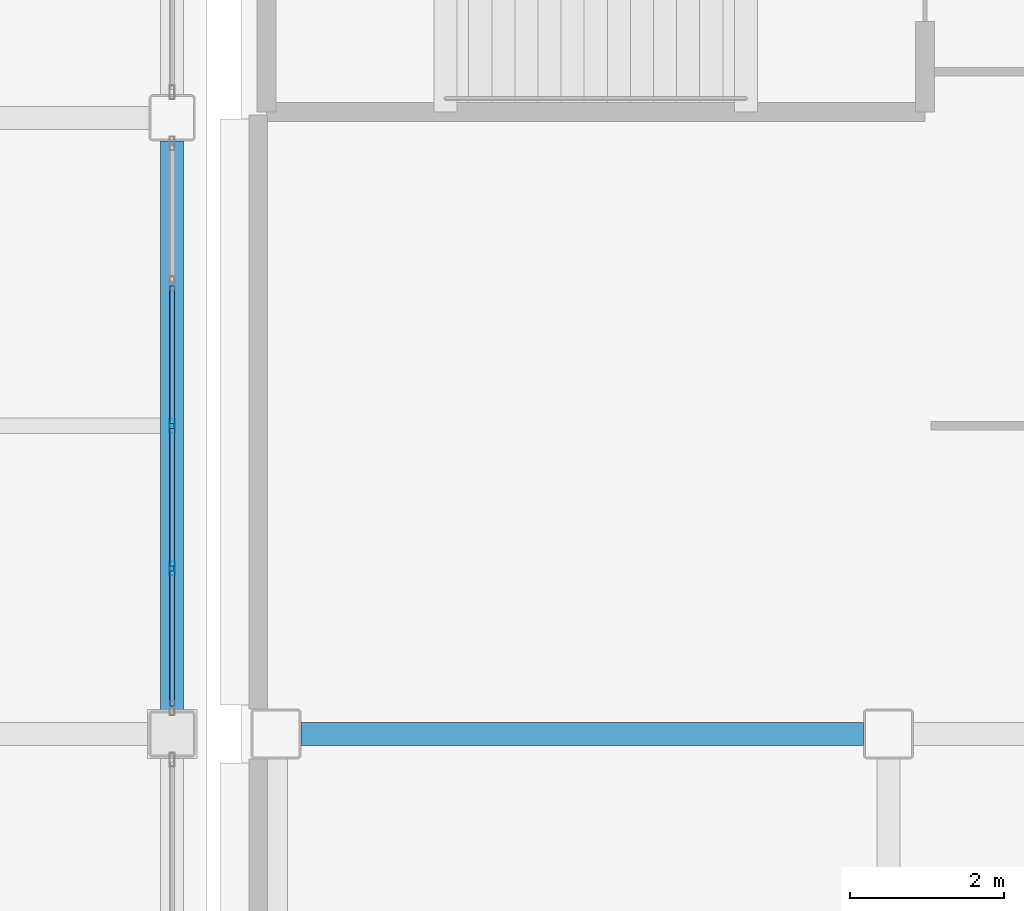
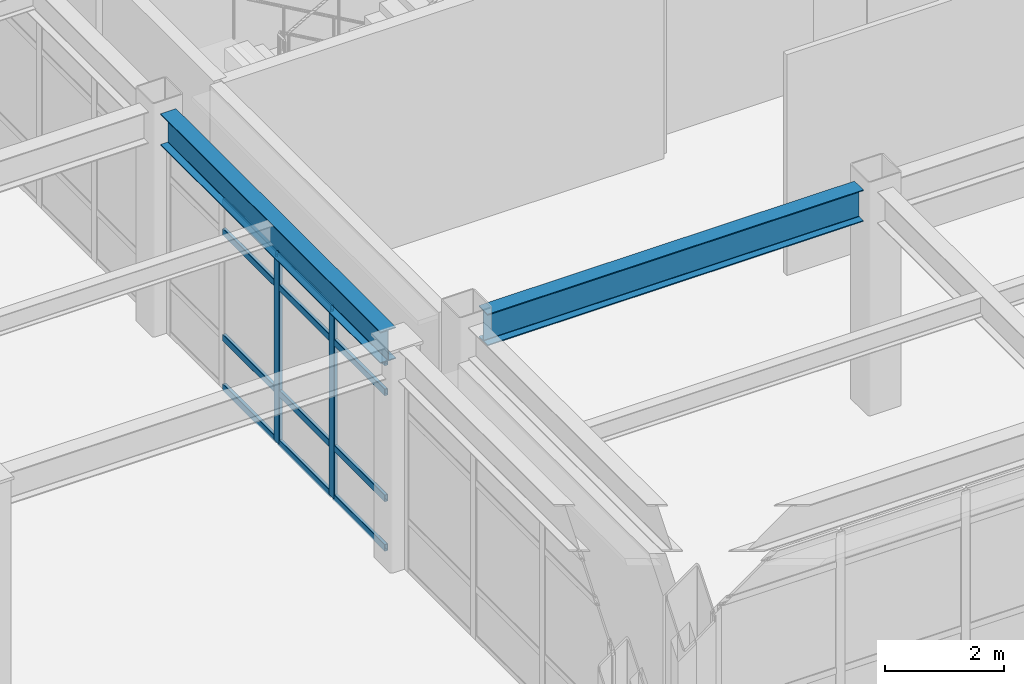
# One storey, part 18 of 172: 14 members, 2 beams, 1 element without a shape of its own.
"""IFC4 building model written with IfcOpenShell, lengths in metres."""

from ifc_helpers import new_model, si_unit, direction, frame, origin, origin_2d, place, context, subcontext, project, spatial, hollow_rectangle, i_section, extrude, material, layer, layer_set, material_profile, profile_set, type_object, element, aggregate, save


model = new_model("IFC4")

# Units and contexts
model_context = context("Model", 3, precision=1e-05, world=origin(), true_north=direction((0.0, 1.0)))
body_context = subcontext(model_context, "Body", "Model", "MODEL_VIEW")
ifc_project = project(units=[si_unit("LENGTHUNIT", "METRE"), si_unit("AREAUNIT", "SQUARE_METRE"), si_unit("VOLUMEUNIT", "CUBIC_METRE"), si_unit("PLANEANGLEUNIT", "RADIAN"), si_unit("MASSUNIT", "GRAM", prefix="KILO")], contexts=[model_context])

# Site, building, storey
site_placement = place(None, origin())
site = spatial("IfcSite", under=ifc_project, at=site_placement, CompositionType="ELEMENT")
building_placement = place(site_placement, origin())
building = spatial("IfcBuilding", under=site, at=building_placement, Name="Kazehara Bluff Congress Hotel", CompositionType="ELEMENT")
storey_placement = place(building_placement, frame((0.0, 0.0, 5.39990234375)))
storey = spatial("IfcBuildingStorey", under=building, at=storey_placement, Name="L01", CompositionType="ELEMENT", Elevation=5.39990234375)

# Curtain wall, members
ifc_material_1 = material(Name="Anodised aluminium", Category="aluminium")
ifc_layer = layer(ifc_material_1, 0.159912109375)
ifc_layer_set = layer_set([ifc_layer], Name="Anodised aluminium")
curtain_wall_type = type_object("IfcCurtainWallType", Name="TP-CW-34", PredefinedType="NOTDEFINED", material=ifc_layer_set)
curtain_wall_placement = place(storey_placement, origin())
curtain_wall = element("IfcCurtainWall", 1, at=curtain_wall_placement, inside=storey, type_object=curtain_wall_type, Name="L01 curtain wall CW-34 CW-V2-L01-X5835-830", PredefinedType="NOTDEFINED")
ifc_material_2 = material(Name="Anodised aluminium", Category="aluminium")
ifc_material_profile_1 = material_profile(ifc_material_2, hollow_rectangle(XDim=0.06494140625, YDim=0.179931640625, WallThickness=0.00390625, InnerFilletRadius=0.00390625, OuterFilletRadius=0.008056640625, at=origin_2d()))
ifc_profile_set_1 = profile_set([ifc_material_profile_1], Name="Anodised aluminium")
member_type_1 = type_object("IfcMemberType", Name="TP-CWM-02", PredefinedType="MULLION", material=ifc_profile_set_1)
member_1_placement = place(storey_placement, frame((58.35009765625, 10.14990234375, 0.0), z_axis=(0.0, 0.0, 1.0), x_axis=(-1.0, 0.0, 0.0)))
member_1 = element("IfcMember", 2, at=member_1_placement, type_object=member_type_1, Name="CW-34 mullion 2", PredefinedType="MULLION", context=body_context, shape_type="SweptSolid", body=[
    extrude(hollow_rectangle(XDim=0.06494140625, YDim=0.179931640625, WallThickness=0.00390625, InnerFilletRadius=0.00390625, OuterFilletRadius=0.008056640625, at=origin_2d()), origin(), (0.0, 0.0, 1.0), 3.875),
])
member_2_placement = place(storey_placement, frame((58.35009765625, 12.0, 0.0), z_axis=(0.0, 0.0, 1.0), x_axis=(-1.0, 0.0, 0.0)))
member_2 = element("IfcMember", 3, at=member_2_placement, type_object=member_type_1, Name="CW-34 mullion 3", PredefinedType="MULLION", context=body_context, shape_type="SweptSolid", body=[
    extrude(hollow_rectangle(XDim=0.06494140625, YDim=0.179931640625, WallThickness=0.00390625, InnerFilletRadius=0.00390625, OuterFilletRadius=0.008056640625, at=origin_2d()), origin(), (0.0, 0.0, 1.0), 3.875),
])
ifc_material_3 = material(Name="Anodised aluminium", Category="aluminium")
ifc_material_profile_2 = material_profile(ifc_material_3, hollow_rectangle(XDim=0.06494140625, YDim=0.139892578125, WallThickness=0.00390625, InnerFilletRadius=0.00390625, OuterFilletRadius=0.008056640625, at=origin_2d()))
ifc_profile_set_2 = profile_set([ifc_material_profile_2], Name="Anodised aluminium")
member_type_2 = type_object("IfcMemberType", Name="TP-CWT-02", PredefinedType="USERDEFINED", material=ifc_profile_set_2)
member_3_placement = place(storey_placement, frame((58.35009765625, 8.364990234375, 0.03271484375), z_axis=(0.0, 1.0, 0.0), x_axis=(-1.0, 0.0, 0.0)))
member_3 = element("IfcMember", 4, at=member_3_placement, type_object=member_type_2, Name="CW-34 transom 1.1", ObjectType="TRANSOM", PredefinedType="USERDEFINED", context=body_context, shape_type="SweptSolid", body=[
    extrude(hollow_rectangle(XDim=0.06494140625, YDim=0.139892578125, WallThickness=0.00390625, InnerFilletRadius=0.00390625, OuterFilletRadius=0.008056640625, at=origin_2d()), origin(), (0.0, 0.0, 1.0), 1.75244140625),
])
member_4_placement = place(storey_placement, frame((58.35009765625, 8.364990234375, 1.050048828125), z_axis=(0.0, 1.0, 0.0), x_axis=(-1.0, 0.0, 0.0)))
member_4 = element("IfcMember", 5, at=member_4_placement, type_object=member_type_2, Name="CW-34 transom 1.2", ObjectType="TRANSOM", PredefinedType="USERDEFINED", context=body_context, shape_type="SweptSolid", body=[
    extrude(hollow_rectangle(XDim=0.06494140625, YDim=0.139892578125, WallThickness=0.00390625, InnerFilletRadius=0.00390625, OuterFilletRadius=0.008056640625, at=origin_2d()), origin(), (0.0, 0.0, 1.0), 1.75244140625),
])
member_5_placement = place(storey_placement, frame((58.35009765625, 8.364990234375, 3.22509765625), z_axis=(0.0, 1.0, 0.0), x_axis=(-1.0, 0.0, 0.0)))
member_5 = element("IfcMember", 6, at=member_5_placement, type_object=member_type_2, Name="CW-34 transom 1.3", ObjectType="TRANSOM", PredefinedType="USERDEFINED", context=body_context, shape_type="SweptSolid", body=[
    extrude(hollow_rectangle(XDim=0.06494140625, YDim=0.139892578125, WallThickness=0.00390625, InnerFilletRadius=0.00390625, OuterFilletRadius=0.008056640625, at=origin_2d()), origin(), (0.0, 0.0, 1.0), 1.75244140625),
])
member_6_placement = place(storey_placement, frame((58.35009765625, 8.364990234375, 3.842529296875), z_axis=(0.0, 1.0, 0.0), x_axis=(-1.0, 0.0, 0.0)))
member_6 = element("IfcMember", 7, at=member_6_placement, type_object=member_type_2, Name="CW-34 transom 1.4", ObjectType="TRANSOM", PredefinedType="USERDEFINED", context=body_context, shape_type="SweptSolid", body=[
    extrude(hollow_rectangle(XDim=0.06494140625, YDim=0.139892578125, WallThickness=0.00390625, InnerFilletRadius=0.00390625, OuterFilletRadius=0.008056640625, at=origin_2d()), origin(), (0.0, 0.0, 1.0), 1.75244140625),
])
member_7_placement = place(storey_placement, frame((58.35009765625, 10.1826171875, 0.03271484375), z_axis=(0.0, 1.0, 0.0), x_axis=(-1.0, 0.0, 0.0)))
member_7 = element("IfcMember", 8, at=member_7_placement, type_object=member_type_2, Name="CW-34 transom 2.1", ObjectType="TRANSOM", PredefinedType="USERDEFINED", context=body_context, shape_type="SweptSolid", body=[
    extrude(hollow_rectangle(XDim=0.06494140625, YDim=0.139892578125, WallThickness=0.00390625, InnerFilletRadius=0.00390625, OuterFilletRadius=0.008056640625, at=origin_2d()), origin(), (0.0, 0.0, 1.0), 1.784912109375),
])
member_8_placement = place(storey_placement, frame((58.35009765625, 10.1826171875, 1.050048828125), z_axis=(0.0, 1.0, 0.0), x_axis=(-1.0, 0.0, 0.0)))
member_8 = element("IfcMember", 9, at=member_8_placement, type_object=member_type_2, Name="CW-34 transom 2.2", ObjectType="TRANSOM", PredefinedType="USERDEFINED", context=body_context, shape_type="SweptSolid", body=[
    extrude(hollow_rectangle(XDim=0.06494140625, YDim=0.139892578125, WallThickness=0.00390625, InnerFilletRadius=0.00390625, OuterFilletRadius=0.008056640625, at=origin_2d()), origin(), (0.0, 0.0, 1.0), 1.784912109375),
])
member_9_placement = place(storey_placement, frame((58.35009765625, 10.1826171875, 3.22509765625), z_axis=(0.0, 1.0, 0.0), x_axis=(-1.0, 0.0, 0.0)))
member_9 = element("IfcMember", 10, at=member_9_placement, type_object=member_type_2, Name="CW-34 transom 2.3", ObjectType="TRANSOM", PredefinedType="USERDEFINED", context=body_context, shape_type="SweptSolid", body=[
    extrude(hollow_rectangle(XDim=0.06494140625, YDim=0.139892578125, WallThickness=0.00390625, InnerFilletRadius=0.00390625, OuterFilletRadius=0.008056640625, at=origin_2d()), origin(), (0.0, 0.0, 1.0), 1.784912109375),
])
member_10_placement = place(storey_placement, frame((58.35009765625, 10.1826171875, 3.842529296875), z_axis=(0.0, 1.0, 0.0), x_axis=(-1.0, 0.0, 0.0)))
member_10 = element("IfcMember", 11, at=member_10_placement, type_object=member_type_2, Name="CW-34 transom 2.4", ObjectType="TRANSOM", PredefinedType="USERDEFINED", context=body_context, shape_type="SweptSolid", body=[
    extrude(hollow_rectangle(XDim=0.06494140625, YDim=0.139892578125, WallThickness=0.00390625, InnerFilletRadius=0.00390625, OuterFilletRadius=0.008056640625, at=origin_2d()), origin(), (0.0, 0.0, 1.0), 1.784912109375),
])
member_11_placement = place(storey_placement, frame((58.35009765625, 12.032470703125, 0.03271484375), z_axis=(0.0, 1.0, 0.0), x_axis=(-1.0, 0.0, 0.0)))
member_11 = element("IfcMember", 12, at=member_11_placement, type_object=member_type_2, Name="CW-34 transom 3.1", ObjectType="TRANSOM", PredefinedType="USERDEFINED", context=body_context, shape_type="SweptSolid", body=[
    extrude(hollow_rectangle(XDim=0.06494140625, YDim=0.139892578125, WallThickness=0.00390625, InnerFilletRadius=0.00390625, OuterFilletRadius=0.008056640625, at=origin_2d()), origin(), (0.0, 0.0, 1.0), 1.784912109375),
])
member_12_placement = place(storey_placement, frame((58.35009765625, 12.032470703125, 1.050048828125), z_axis=(0.0, 1.0, 0.0), x_axis=(-1.0, 0.0, 0.0)))
member_12 = element("IfcMember", 13, at=member_12_placement, type_object=member_type_2, Name="CW-34 transom 3.2", ObjectType="TRANSOM", PredefinedType="USERDEFINED", context=body_context, shape_type="SweptSolid", body=[
    extrude(hollow_rectangle(XDim=0.06494140625, YDim=0.139892578125, WallThickness=0.00390625, InnerFilletRadius=0.00390625, OuterFilletRadius=0.008056640625, at=origin_2d()), origin(), (0.0, 0.0, 1.0), 1.784912109375),
])
member_13_placement = place(storey_placement, frame((58.35009765625, 12.032470703125, 3.22509765625), z_axis=(0.0, 1.0, 0.0), x_axis=(-1.0, 0.0, 0.0)))
member_13 = element("IfcMember", 14, at=member_13_placement, type_object=member_type_2, Name="CW-34 transom 3.3", ObjectType="TRANSOM", PredefinedType="USERDEFINED", context=body_context, shape_type="SweptSolid", body=[
    extrude(hollow_rectangle(XDim=0.06494140625, YDim=0.139892578125, WallThickness=0.00390625, InnerFilletRadius=0.00390625, OuterFilletRadius=0.008056640625, at=origin_2d()), origin(), (0.0, 0.0, 1.0), 1.784912109375),
])
member_14_placement = place(storey_placement, frame((58.35009765625, 12.032470703125, 3.842529296875), z_axis=(0.0, 1.0, 0.0), x_axis=(-1.0, 0.0, 0.0)))
member_14 = element("IfcMember", 15, at=member_14_placement, type_object=member_type_2, Name="CW-34 transom 3.4", ObjectType="TRANSOM", PredefinedType="USERDEFINED", context=body_context, shape_type="SweptSolid", body=[
    extrude(hollow_rectangle(XDim=0.06494140625, YDim=0.139892578125, WallThickness=0.00390625, InnerFilletRadius=0.00390625, OuterFilletRadius=0.008056640625, at=origin_2d()), origin(), (0.0, 0.0, 1.0), 1.784912109375),
])
aggregate(curtain_wall, [member_1, member_2, member_3, member_4, member_5, member_6, member_7, member_8, member_9, member_10, member_11, member_12, member_13, member_14])

# Beams
ifc_material_4 = material(Name="Steel SN490B", Category="steel")
ifc_material_profile_3 = material_profile(ifc_material_4, i_section(OverallWidth=0.300048828125, OverallDepth=0.64990234375, WebThickness=0.011962890625, FlangeThickness=0.02001953125, FilletRadius=0.012939453125, at=origin_2d()))
ifc_profile_set_3 = profile_set([ifc_material_profile_3], Name="Steel SN490B")
beam_type = type_object("IfcBeamType", Name="TP-G-03", PredefinedType="BEAM", material=ifc_profile_set_3)
beam_1_placement = place(storey_placement, frame((58.35009765625, 8.300048828125, 4.22509765625), z_axis=(0.0, 1.0, 0.0), x_axis=(-1.0, 0.0, 0.0)))
element("IfcBeam", 16, at=beam_1_placement, inside=storey, type_object=beam_type, Name="L01 girder G-03 66", PredefinedType="BEAM", context=body_context, shape_type="SweptSolid", body=[
    extrude(i_section(OverallWidth=0.300048828125, OverallDepth=0.64990234375, WebThickness=0.011962890625, FlangeThickness=0.02001953125, FilletRadius=0.012939453125, at=origin_2d()), origin(), (0.0, 0.0, 1.0), 7.39990234375),
])
beam_2_placement = place(storey_placement, frame((60.02490234375, 8.0, 4.22509765625), z_axis=(1.0, 0.0, 0.0), x_axis=(0.0, 1.0, 0.0)))
element("IfcBeam", 17, at=beam_2_placement, inside=storey, type_object=beam_type, Name="L01 girder G-03 187", PredefinedType="BEAM", context=body_context, shape_type="SweptSolid", body=[
    extrude(i_section(OverallWidth=0.300048828125, OverallDepth=0.64990234375, WebThickness=0.011962890625, FlangeThickness=0.02001953125, FilletRadius=0.012939453125, at=origin_2d()), origin(), (0.0, 0.0, 1.0), 7.300048828125),
])

save(model, "model.ifc")
